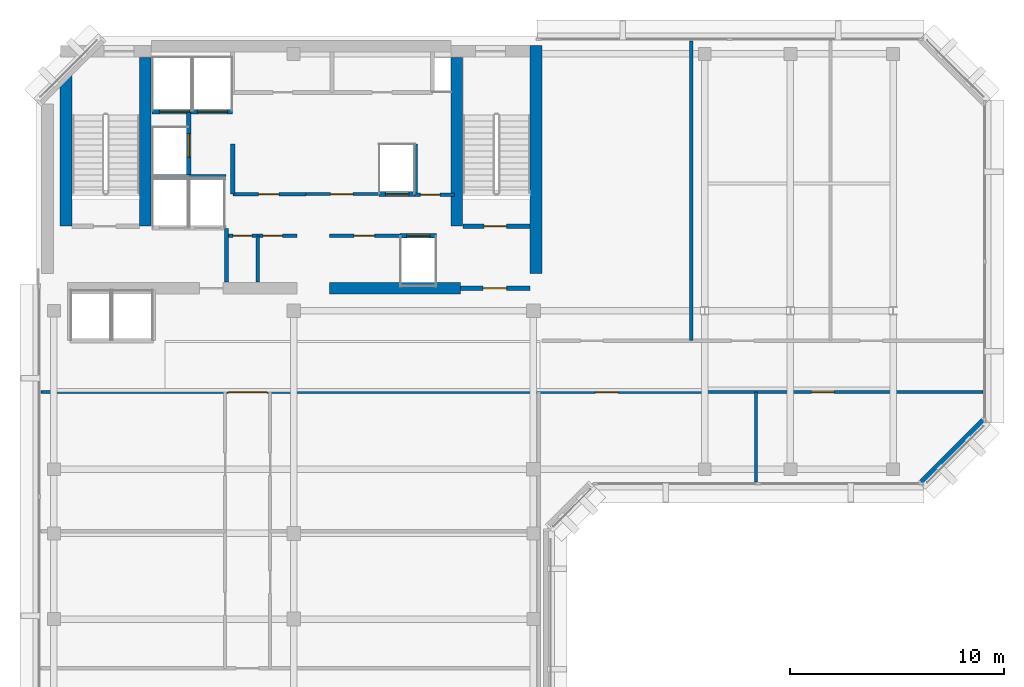
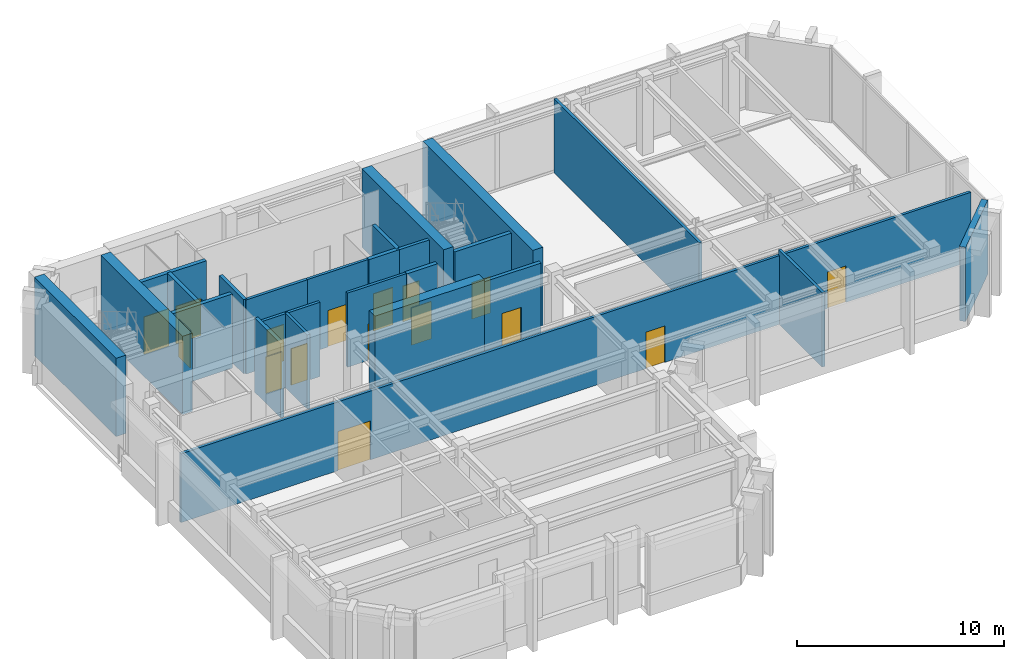
# One storey, part 5 of 9: 25 walls, 16 doors, 16 openings.
"""IFC4 building model written with IfcOpenShell, lengths in metres."""

from ifc_helpers import new_model, si_unit, direction, frame, frame_2d, origin, place, context, subcontext, project, spatial, rectangle, extrude, material, layer, layer_set, type_object, element, fill, save


model = new_model("IFC4")

# Units and contexts
model_context = context("Model", 3, precision=1e-05, world=origin(), true_north=direction((0.0, 1.0)))
body_context = subcontext(model_context, "Body", "Model", "MODEL_VIEW")
ifc_project = project(units=[si_unit("LENGTHUNIT", "METRE"), si_unit("AREAUNIT", "SQUARE_METRE"), si_unit("VOLUMEUNIT", "CUBIC_METRE"), si_unit("PLANEANGLEUNIT", "RADIAN"), si_unit("MASSUNIT", "GRAM", prefix="KILO")], contexts=[model_context])

# Site, building, storey
site_placement = place(None, origin())
site = spatial("IfcSite", under=ifc_project, at=site_placement, CompositionType="ELEMENT")
building_placement = place(site_placement, origin())
building = spatial("IfcBuilding", under=site, at=building_placement, Name="Kefirva Bronze Tower", CompositionType="ELEMENT")
storey_placement = place(building_placement, frame((0.0, 0.0, 356.72998046875)))
storey = spatial("IfcBuildingStorey", under=building, at=storey_placement, Name="L87", CompositionType="ELEMENT", Elevation=356.72998046875)

# Wall, opening, door
ifc_material_1 = material(Name="Gypsum acoustic partition")
ifc_layer_1 = layer(ifc_material_1, 0.14990234375, Name="Gypsum acoustic partition")
ifc_layer_set_1 = layer_set([ifc_layer_1], Name="Gypsum acoustic partition")
wall_type_1 = type_object("IfcWallType", Name="Executive Suite Partition 150mm", PredefinedType="PARTITIONING", material=ifc_layer_set_1)
wall_1_placement = place(storey_placement, frame((13.679931640625, 36.699951171875, 0.0), z_axis=(0.0, 0.0, 1.0), x_axis=(1.0, 0.0, 0.0)))
wall_1 = element("IfcWall", 1, at=wall_1_placement, inside=storey, type_object=wall_type_1, Name="L87 Partition W-L87-RECMP1", PredefinedType="PARTITIONING", context=body_context, shape_type="SweptSolid", body=[
    extrude(rectangle(XDim=3.280029296875, YDim=0.14990234375, at=frame_2d((1.64013671875, 0.0))), origin(), (0.0, 0.0, 1.0), 4.3701171875),
])
opening_1_placement = place(wall_1_placement, frame((1.14990234375, 0.0, 0.0)))
opening_1 = element("IfcOpeningElement", 2, at=opening_1_placement, cuts=wall_1, Name="Opening L87-D-RECMP1", PredefinedType="OPENING", context=body_context, shape_type="SweptSolid", body=[
    extrude(rectangle(XDim=0.949951171875, YDim=2.14990234375, at=frame_2d((0.47509765625, 1.074951171875))), frame((0.0, 0.0849609375, 0.0), z_axis=(0.0, -1.0, 0.0), x_axis=(1.0, 0.0, 0.0)), (0.0, 0.0, 1.0), 0.169921875),
])
ifc_material_2 = material(Name="Acoustic hardwood oak", Category="wood")
door_type_1 = type_object("IfcDoorType", Name="Office & Meeting Room Door 950x2150", OperationType="NOTDEFINED", PredefinedType="DOOR", material=ifc_material_2)
door_1_placement = place(opening_1_placement, origin())
door_1 = element("IfcDoor", 3, at=door_1_placement, inside=storey, type_object=door_type_1, Name="Door L87-D-RECMP1", OperationType="SINGLE_SWING_LEFT", OverallHeight=2.14990234375, OverallWidth=0.949951171875, PredefinedType="DOOR", context=body_context, shape_type="SweptSolid", body=[
    extrude(rectangle(XDim=0.949951171875, YDim=2.14990234375, at=frame_2d((0.47509765625, 1.074951171875))), frame((0.0, 0.02490234375, 0.0), z_axis=(0.0, -1.0, 0.0), x_axis=(1.0, 0.0, 0.0)), (0.0, 0.0, 1.0), 0.050048828125),
])
fill(opening_1, door_1)

wall_2_placement = place(storey_placement, frame((12.580078125, 38.64990234375, 0.0), z_axis=(0.0, 0.0, 1.0), x_axis=(1.0, 0.0, 0.0)))
wall_2 = element("IfcWall", 4, at=wall_2_placement, inside=storey, type_object=wall_type_1, Name="L87 Partition W-L87-RECMP2", PredefinedType="PARTITIONING", context=body_context, shape_type="SweptSolid", body=[
    extrude(rectangle(XDim=3.3798828125, YDim=0.14990234375, at=frame_2d((1.68994140625, 0.0))), origin(), (0.0, 0.0, 1.0), 4.3701171875),
])
opening_2_placement = place(wall_2_placement, frame((2.199951171875, 0.0, 0.0), z_axis=(0.0, 0.0, 1.0), x_axis=(-1.0, 0.0, 0.0)))
opening_2 = element("IfcOpeningElement", 5, at=opening_2_placement, cuts=wall_2, Name="Opening L87-D-RECMP2", PredefinedType="OPENING", context=body_context, shape_type="SweptSolid", body=[
    extrude(rectangle(XDim=1.050048828125, YDim=2.14990234375, at=frame_2d((0.52490234375, 1.074951171875))), frame((0.0, 0.0849609375, 0.0), z_axis=(0.0, -1.0, 0.0), x_axis=(1.0, 0.0, 0.0)), (0.0, 0.0, 1.0), 0.169921875),
])
door_type_2 = type_object("IfcDoorType", Name="Executive & Boardroom Door 1050x2150", OperationType="NOTDEFINED", PredefinedType="DOOR", material=ifc_material_2)
door_2_placement = place(opening_2_placement, origin())
door_2 = element("IfcDoor", 6, at=door_2_placement, inside=storey, type_object=door_type_2, Name="Door L87-D-RECMP2", OperationType="SINGLE_SWING_RIGHT", OverallHeight=2.14990234375, OverallWidth=1.050048828125, PredefinedType="DOOR", context=body_context, shape_type="SweptSolid", body=[
    extrude(rectangle(XDim=1.050048828125, YDim=2.14990234375, at=frame_2d((0.52490234375, 1.074951171875))), frame((0.0, 0.02490234375, 0.0), z_axis=(0.0, -1.0, 0.0), x_axis=(1.0, 0.0, 0.0)), (0.0, 0.0, 1.0), 0.050048828125),
])
fill(opening_2, door_2)

# Wall, openings, doors
wall_3_placement = place(storey_placement, frame((0.18994140625, 29.39990234375, 0.0), z_axis=(0.0, 0.0, 1.0), x_axis=(1.0, 0.0, 0.0)))
wall_3 = element("IfcWall", 7, at=wall_3_placement, inside=storey, type_object=wall_type_1, Name="L87 Partition W-L87-LKS", PredefinedType="PARTITIONING", context=body_context, shape_type="SweptSolid", body=[
    extrude(rectangle(XDim=44.02001953125, YDim=0.14990234375, at=frame_2d((22.010009765625, 0.0))), origin(), (0.0, 0.0, 1.0), 4.054931640625),
])
opening_3_placement = place(wall_3_placement, frame((8.760009765625, 0.0, 0.0)))
opening_3 = element("IfcOpeningElement", 8, at=opening_3_placement, cuts=wall_3, Name="Opening L87-D-SMSP", PredefinedType="OPENING", context=body_context, shape_type="SweptSolid", body=[
    extrude(rectangle(XDim=1.800048828125, YDim=2.300048828125, at=frame_2d((0.89990234375, 1.14990234375))), frame((0.0, 0.0849609375, 0.0), z_axis=(0.0, -1.0, 0.0), x_axis=(1.0, 0.0, 0.0)), (0.0, 0.0, 1.0), 0.169921875),
])
opening_4_placement = place(wall_3_placement, frame((25.909912109375, 0.0, 0.0)))
opening_4 = element("IfcOpeningElement", 9, at=opening_4_placement, cuts=wall_3, Name="Opening L87-D-SM4", PredefinedType="OPENING", context=body_context, shape_type="SweptSolid", body=[
    extrude(rectangle(XDim=1.050048828125, YDim=2.14990234375, at=frame_2d((0.52490234375, 1.074951171875))), frame((0.0, 0.0849609375, 0.0), z_axis=(0.0, -1.0, 0.0), x_axis=(1.0, 0.0, 0.0)), (0.0, 0.0, 1.0), 0.169921875),
])
opening_5_placement = place(wall_3_placement, frame((36.010009765625, 0.0, 0.0)))
opening_5 = element("IfcOpeningElement", 10, at=opening_5_placement, cuts=wall_3, Name="Opening L87-D-SM5", PredefinedType="OPENING", context=body_context, shape_type="SweptSolid", body=[
    extrude(rectangle(XDim=1.050048828125, YDim=2.14990234375, at=frame_2d((0.52490234375, 1.074951171875))), frame((0.0, 0.0849609375, 0.0), z_axis=(0.0, -1.0, 0.0), x_axis=(1.0, 0.0, 0.0)), (0.0, 0.0, 1.0), 0.169921875),
])
door_type_3 = type_object("IfcDoorType", Name="Auditorium & Dining Double Door 1800x2300", OperationType="DOUBLE_DOOR_SINGLE_SWING", PredefinedType="DOOR", material=ifc_material_2)
door_3_placement = place(opening_3_placement, origin())
door_3 = element("IfcDoor", 11, at=door_3_placement, inside=storey, type_object=door_type_3, Name="Door L87-D-SMSP", OperationType="SINGLE_SWING_LEFT", OverallHeight=2.300048828125, OverallWidth=1.800048828125, PredefinedType="DOOR", context=body_context, shape_type="SweptSolid", body=[
    extrude(rectangle(XDim=1.800048828125, YDim=2.300048828125, at=frame_2d((0.89990234375, 1.14990234375))), frame((0.0, 0.02490234375, 0.0), z_axis=(0.0, -1.0, 0.0), x_axis=(1.0, 0.0, 0.0)), (0.0, 0.0, 1.0), 0.050048828125),
])
fill(opening_3, door_3)
door_4_placement = place(opening_4_placement, origin())
door_4 = element("IfcDoor", 12, at=door_4_placement, inside=storey, type_object=door_type_2, Name="Door L87-D-SM4", OperationType="SINGLE_SWING_LEFT", OverallHeight=2.14990234375, OverallWidth=1.050048828125, PredefinedType="DOOR", context=body_context, shape_type="SweptSolid", body=[
    extrude(rectangle(XDim=1.050048828125, YDim=2.14990234375, at=frame_2d((0.52490234375, 1.074951171875))), frame((0.0, 0.02490234375, 0.0), z_axis=(0.0, -1.0, 0.0), x_axis=(1.0, 0.0, 0.0)), (0.0, 0.0, 1.0), 0.050048828125),
])
fill(opening_4, door_4)
door_5_placement = place(opening_5_placement, origin())
door_5 = element("IfcDoor", 13, at=door_5_placement, inside=storey, type_object=door_type_2, Name="Door L87-D-SM5", OperationType="SINGLE_SWING_RIGHT", OverallHeight=2.14990234375, OverallWidth=1.050048828125, PredefinedType="DOOR", context=body_context, shape_type="SweptSolid", body=[
    extrude(rectangle(XDim=1.050048828125, YDim=2.14990234375, at=frame_2d((0.52490234375, 1.074951171875))), frame((0.0, 0.02490234375, 0.0), z_axis=(0.0, -1.0, 0.0), x_axis=(1.0, 0.0, 0.0)), (0.0, 0.0, 1.0), 0.050048828125),
])
fill(opening_5, door_5)

# Walls
wall_4_placement = place(storey_placement, frame((33.60009765625, 25.18994140625, 0.0), z_axis=(0.0, 0.0, 1.0), x_axis=(0.0, 1.0, 0.0)))
element("IfcWall", 14, at=wall_4_placement, inside=storey, type_object=wall_type_1, Name="L87 Partition W-L87-SMEWD", PredefinedType="PARTITIONING", context=body_context, shape_type="SweptSolid", body=[
    extrude(rectangle(XDim=4.2099609375, YDim=0.14990234375, at=frame_2d((2.10498046875, 0.0))), origin(), (0.0, 0.0, 1.0), 4.3701171875),
])
wall_5_placement = place(storey_placement, frame((30.570068359375, 31.800048828125, 0.0), z_axis=(0.0, 0.0, 1.0), x_axis=(0.0, 1.0, 0.0)))
element("IfcWall", 15, at=wall_5_placement, inside=storey, type_object=wall_type_1, Name="L87 Partition W-L87-SMND1", PredefinedType="PARTITIONING", context=body_context, shape_type="SweptSolid", body=[
    extrude(rectangle(XDim=14.010009765625, YDim=0.14990234375, at=frame_2d((7.0048828125, 0.0))), origin(), (0.0, 0.0, 1.0), 4.3701171875),
])

# Wall, opening, door
ifc_material_3 = material(Name="Gypsum fireboard shaftwall")
ifc_layer_2 = layer(ifc_material_3, 0.219970703125, Name="Gypsum fireboard shaftwall")
ifc_layer_set_2 = layer_set([ifc_layer_2], Name="Gypsum fireboard shaftwall")
wall_type_2 = type_object("IfcWallType", Name="Fire-Rated Shaft Enclosure Wall 220mm", PredefinedType="PARTITIONING", material=ifc_layer_set_2)
wall_6_placement = place(storey_placement, frame((19.89990234375, 37.14990234375, 0.0), z_axis=(0.0, 0.0, 1.0), x_axis=(1.0, 0.0, 0.0)))
wall_6 = element("IfcWall", 16, at=wall_6_placement, inside=storey, type_object=wall_type_2, Name="L87 Partition W-L87-ST2S", PredefinedType="PARTITIONING", context=body_context, shape_type="SweptSolid", body=[
    extrude(rectangle(XDim=3.150146484375, YDim=0.219970703125, at=frame_2d((1.5751953125, 0.0))), origin(), (0.0, 0.0, 1.0), 4.3701171875),
])
opening_6_placement = place(wall_6_placement, frame((2.050048828125, 0.0, 0.0), z_axis=(0.0, 0.0, 1.0), x_axis=(-1.0, 0.0, 0.0)))
opening_6 = element("IfcOpeningElement", 17, at=opening_6_placement, cuts=wall_6, Name="Opening L87-D003", PredefinedType="OPENING", context=body_context, shape_type="SweptSolid", body=[
    extrude(rectangle(XDim=1.050048828125, YDim=2.14990234375, at=frame_2d((0.52490234375, 1.074951171875))), frame((0.0, 0.1201171875, 0.0), z_axis=(0.0, -1.0, 0.0), x_axis=(1.0, 0.0, 0.0)), (0.0, 0.0, 1.0), 0.239990234375),
])
ifc_material_4 = material(Name="Painted galvanized steel", Category="steel")
door_type_4 = type_object("IfcDoorType", Name="Fire Stair Enclosure Door 1050x2150 FD90S", OperationType="NOTDEFINED", PredefinedType="DOOR", material=ifc_material_4)
door_6_placement = place(opening_6_placement, origin())
door_6 = element("IfcDoor", 18, at=door_6_placement, inside=storey, type_object=door_type_4, Name="Door L87-D003", OperationType="SINGLE_SWING_LEFT", OverallHeight=2.14990234375, OverallWidth=1.050048828125, PredefinedType="DOOR", context=body_context, shape_type="SweptSolid", body=[
    extrude(rectangle(XDim=1.050048828125, YDim=2.14990234375, at=frame_2d((0.52490234375, 1.074951171875))), frame((0.0, 0.02490234375, 0.0), z_axis=(0.0, -1.0, 0.0), x_axis=(1.0, 0.0, 0.0)), (0.0, 0.0, 1.0), 0.050048828125),
])
fill(opening_6, door_6)

# Wall
wall_7_placement = place(storey_placement, frame((5.3798828125, 39.449951171875, 0.0), z_axis=(0.0, 0.0, 1.0), x_axis=(1.0, 0.0, 0.0)))
element("IfcWall", 19, at=wall_7_placement, inside=storey, type_object=wall_type_2, Name="L87 Partition W-L87-FFN", PredefinedType="PARTITIONING", context=body_context, shape_type="SweptSolid", body=[
    extrude(rectangle(XDim=3.460205078125, YDim=0.219970703125, at=frame_2d((1.72998046875, 0.0))), origin(), (0.0, 0.0, 1.0), 4.3701171875),
])

# Wall, openings, doors
wall_8_placement = place(storey_placement, frame((5.3798828125, 42.5, 0.0), z_axis=(0.0, 0.0, 1.0), x_axis=(1.0, 0.0, 0.0)))
wall_8 = element("IfcWall", 20, at=wall_8_placement, inside=storey, type_object=wall_type_2, Name="L87 Partition W-L87-SVS", PredefinedType="PARTITIONING", context=body_context, shape_type="SweptSolid", body=[
    extrude(rectangle(XDim=3.77001953125, YDim=0.219970703125, at=frame_2d((1.885009765625, 0.0))), origin(), (0.0, 0.0, 1.0), 4.3701171875),
])
opening_7_placement = place(wall_8_placement, frame((1.75, 0.0, 0.0), z_axis=(0.0, 0.0, 1.0), x_axis=(-1.0, 0.0, 0.0)))
opening_7 = element("IfcOpeningElement", 21, at=opening_7_placement, cuts=wall_8, Name="Opening L87-LD-SV1", PredefinedType="OPENING", context=body_context, shape_type="SweptSolid", body=[
    extrude(rectangle(XDim=1.39990234375, YDim=2.199951171875, at=frame_2d((0.699951171875, 1.10009765625))), frame((0.0, 0.1201171875, 0.0), z_axis=(0.0, -1.0, 0.0), x_axis=(1.0, 0.0, 0.0)), (0.0, 0.0, 1.0), 0.239990234375),
])
opening_8_placement = place(wall_8_placement, frame((3.52978515625, 0.0, 0.0), z_axis=(0.0, 0.0, 1.0), x_axis=(-1.0, 0.0, 0.0)))
opening_8 = element("IfcOpeningElement", 22, at=opening_8_placement, cuts=wall_8, Name="Opening L87-LD-SV2", PredefinedType="OPENING", context=body_context, shape_type="SweptSolid", body=[
    extrude(rectangle(XDim=1.39990234375, YDim=2.199951171875, at=frame_2d((0.699951171875, 1.10009765625))), frame((0.0, 0.1201171875, 0.0), z_axis=(0.0, -1.0, 0.0), x_axis=(1.0, 0.0, 0.0)), (0.0, 0.0, 1.0), 0.239990234375),
])
ifc_material_5 = material(Name="Stainless steel 316", Category="steel")
door_type_5 = type_object("IfcDoorType", Name="Goods Lift Bi-Parting Sliding Door 1400x2200", OperationType="SLIDING_TO_LEFT", PredefinedType="DOOR", material=ifc_material_5)
door_7_placement = place(opening_7_placement, origin())
door_7 = element("IfcDoor", 23, at=door_7_placement, inside=storey, type_object=door_type_5, Name="Door L87-LD-SV1", OperationType="SLIDING_TO_LEFT", OverallHeight=2.199951171875, OverallWidth=1.39990234375, PredefinedType="DOOR", context=body_context, shape_type="SweptSolid", body=[
    extrude(rectangle(XDim=1.39990234375, YDim=2.199951171875, at=frame_2d((0.699951171875, 1.10009765625))), frame((0.0, 0.02490234375, 0.0), z_axis=(0.0, -1.0, 0.0), x_axis=(1.0, 0.0, 0.0)), (0.0, 0.0, 1.0), 0.050048828125),
])
fill(opening_7, door_7)
door_8_placement = place(opening_8_placement, origin())
door_8 = element("IfcDoor", 24, at=door_8_placement, inside=storey, type_object=door_type_5, Name="Door L87-LD-SV2", OperationType="SLIDING_TO_LEFT", OverallHeight=2.199951171875, OverallWidth=1.39990234375, PredefinedType="DOOR", context=body_context, shape_type="SweptSolid", body=[
    extrude(rectangle(XDim=1.39990234375, YDim=2.199951171875, at=frame_2d((0.699951171875, 1.10009765625))), frame((0.0, 0.02490234375, 0.0), z_axis=(0.0, -1.0, 0.0), x_axis=(1.0, 0.0, 0.0)), (0.0, 0.0, 1.0), 0.050048828125),
])
fill(opening_8, door_8)

# Wall, opening, door
wall_9_placement = place(storey_placement, frame((7.10009765625, 39.52001953125, 0.0), z_axis=(0.0, 0.0, 1.0), x_axis=(0.0, 1.0, 0.0)))
wall_9 = element("IfcWall", 25, at=wall_9_placement, inside=storey, type_object=wall_type_2, Name="L87 Partition W-L87-HP3E", PredefinedType="PARTITIONING", context=body_context, shape_type="SweptSolid", body=[
    extrude(rectangle(XDim=2.929931640625, YDim=0.219970703125, at=frame_2d((1.46484375, 0.0))), origin(), (0.0, 0.0, 1.0), 4.3701171875),
])
opening_9_placement = place(wall_9_placement, frame((0.85009765625, 0.0, 0.0)))
opening_9 = element("IfcOpeningElement", 26, at=opening_9_placement, cuts=wall_9, Name="Opening L87-LD-HP3", PredefinedType="OPENING", context=body_context, shape_type="SweptSolid", body=[
    extrude(rectangle(XDim=1.10009765625, YDim=2.199951171875, at=frame_2d((0.550048828125, 1.10009765625))), frame((0.0, 0.1201171875, 0.0), z_axis=(0.0, -1.0, 0.0), x_axis=(1.0, 0.0, 0.0)), (0.0, 0.0, 1.0), 0.239990234375),
])
door_type_6 = type_object("IfcDoorType", Name="Passenger Lift Sliding Landing Door 1100x2200", OperationType="SLIDING_TO_LEFT", PredefinedType="DOOR", material=ifc_material_5)
door_9_placement = place(opening_9_placement, origin())
door_9 = element("IfcDoor", 27, at=door_9_placement, inside=storey, type_object=door_type_6, Name="Door L87-LD-HP3", OperationType="SLIDING_TO_LEFT", OverallHeight=2.199951171875, OverallWidth=1.10009765625, PredefinedType="DOOR", context=body_context, shape_type="SweptSolid", body=[
    extrude(rectangle(XDim=1.10009765625, YDim=2.199951171875, at=frame_2d((0.550048828125, 1.10009765625))), frame((0.0, 0.02490234375, 0.0), z_axis=(0.0, -1.0, 0.0), x_axis=(1.0, 0.0, 0.0)), (0.0, 0.0, 1.0), 0.050048828125),
])
fill(opening_9, door_9)

# Walls
for number, where, z_axis, x_axis, name in (
    (28, (9.159912109375, 38.64990234375, 0.0), (0.0, 0.0, 1.0), (0.0, 1.0, 0.0), "L87 Partition W-L87-LP3W"),
    (29, (17.679931640625, 38.64990234375, 0.0), (0.0, 0.0, 1.0), (0.0, 1.0, 0.0), "L87 Partition W-L87-HP2E"),
):
    element("IfcWall", number, at=place(storey_placement, frame(where, z_axis=z_axis, x_axis=x_axis)), inside=storey, type_object=wall_type_2, Name=name, PredefinedType="PARTITIONING", context=body_context, shape_type="SweptSolid", body=[
        extrude(rectangle(XDim=2.35009765625, YDim=0.199951171875, at=frame_2d((1.175048828125, 0.0))), origin(), (0.0, 0.0, 1.0), 4.3701171875),
    ])

# Wall, opening, door
wall_10_placement = place(storey_placement, frame((16.97998046875, 36.699951171875, 0.0), z_axis=(0.0, 0.0, 1.0), x_axis=(1.0, 0.0, 0.0)))
wall_10 = element("IfcWall", 30, at=wall_10_placement, inside=storey, type_object=wall_type_2, Name="L87 Partition W-L87-HPS", PredefinedType="PARTITIONING", context=body_context, shape_type="SweptSolid", body=[
    extrude(rectangle(XDim=1.699951171875, YDim=0.219970703125, at=frame_2d((0.85009765625, 0.0))), origin(), (0.0, 0.0, 1.0), 4.3701171875),
])
opening_10_placement = place(wall_10_placement, frame((0.300048828125, 0.0, 0.0)))
opening_10 = element("IfcOpeningElement", 31, at=opening_10_placement, cuts=wall_10, Name="Opening L87-LD-HP1", PredefinedType="OPENING", context=body_context, shape_type="SweptSolid", body=[
    extrude(rectangle(XDim=1.10009765625, YDim=2.199951171875, at=frame_2d((0.550048828125, 1.10009765625))), frame((0.0, 0.1201171875, 0.0), z_axis=(0.0, -1.0, 0.0), x_axis=(1.0, 0.0, 0.0)), (0.0, 0.0, 1.0), 0.239990234375),
])
door_10_placement = place(opening_10_placement, origin())
door_10 = element("IfcDoor", 32, at=door_10_placement, inside=storey, type_object=door_type_6, Name="Door L87-LD-HP1", OperationType="SLIDING_TO_LEFT", OverallHeight=2.199951171875, OverallWidth=1.10009765625, PredefinedType="DOOR", context=body_context, shape_type="SweptSolid", body=[
    extrude(rectangle(XDim=1.10009765625, YDim=2.199951171875, at=frame_2d((0.550048828125, 1.10009765625))), frame((0.0, 0.02490234375, 0.0), z_axis=(0.0, -1.0, 0.0), x_axis=(1.0, 0.0, 0.0)), (0.0, 0.0, 1.0), 0.050048828125),
])
fill(opening_10, door_10)

wall_11_placement = place(storey_placement, frame((15.97998046875, 38.64990234375, 0.0), z_axis=(0.0, 0.0, 1.0), x_axis=(1.0, 0.0, 0.0)))
wall_11 = element("IfcWall", 33, at=wall_11_placement, inside=storey, type_object=wall_type_2, Name="L87 Partition W-L87-HPN", PredefinedType="PARTITIONING", context=body_context, shape_type="SweptSolid", body=[
    extrude(rectangle(XDim=1.719970703125, YDim=0.219970703125, at=frame_2d((0.85986328125, 0.0))), origin(), (0.0, 0.0, 1.0), 4.3701171875),
])
opening_11_placement = place(wall_11_placement, frame((0.300048828125, 0.0, 0.0)))
opening_11 = element("IfcOpeningElement", 34, at=opening_11_placement, cuts=wall_11, Name="Opening L87-LD-HP2", PredefinedType="OPENING", context=body_context, shape_type="SweptSolid", body=[
    extrude(rectangle(XDim=1.10009765625, YDim=2.199951171875, at=frame_2d((0.550048828125, 1.10009765625))), frame((0.0, 0.1201171875, 0.0), z_axis=(0.0, -1.0, 0.0), x_axis=(1.0, 0.0, 0.0)), (0.0, 0.0, 1.0), 0.239990234375),
])
door_11_placement = place(opening_11_placement, origin())
door_11 = element("IfcDoor", 35, at=door_11_placement, inside=storey, type_object=door_type_6, Name="Door L87-LD-HP2", OperationType="SLIDING_TO_LEFT", OverallHeight=2.199951171875, OverallWidth=1.10009765625, PredefinedType="DOOR", context=body_context, shape_type="SweptSolid", body=[
    extrude(rectangle(XDim=1.10009765625, YDim=2.199951171875, at=frame_2d((0.550048828125, 1.10009765625))), frame((0.0, 0.02490234375, 0.0), z_axis=(0.0, -1.0, 0.0), x_axis=(1.0, 0.0, 0.0)), (0.0, 0.0, 1.0), 0.050048828125),
])
fill(opening_11, door_11)

# Wall
ifc_material_6 = material(Name="Gypsum fireboard barrier")
ifc_layer_3 = layer(ifc_material_6, 0.199951171875, Name="Gypsum fireboard barrier")
ifc_layer_set_3 = layer_set([ifc_layer_3], Name="Gypsum fireboard barrier")
wall_type_3 = type_object("IfcWallType", Name="Firefighting Lobby Barrier Wall 200mm", PredefinedType="PARTITIONING", material=ifc_layer_set_3)
wall_12_placement = place(storey_placement, frame((8.860107421875, 34.550048828125, 0.0), z_axis=(0.0, 0.0, 1.0), x_axis=(0.0, 1.0, 0.0)))
element("IfcWall", 36, at=wall_12_placement, inside=storey, type_object=wall_type_3, Name="L87 Partition W-L87-FFLE", PredefinedType="PARTITIONING", context=body_context, shape_type="SweptSolid", body=[
    extrude(rectangle(XDim=2.5, YDim=0.199951171875, at=frame_2d((1.25, 0.0))), origin(), (0.0, 0.0, 1.0), 4.3701171875),
])

# Wall, opening, door
wall_13_placement = place(storey_placement, frame((19.800048828125, 34.25, 0.0), z_axis=(0.0, 0.0, 1.0), x_axis=(1.0, 0.0, 0.0)))
wall_13 = element("IfcWall", 37, at=wall_13_placement, inside=storey, type_object=wall_type_3, Name="L87 Partition W-L87-ST2F", PredefinedType="PARTITIONING", context=body_context, shape_type="SweptSolid", body=[
    extrude(rectangle(XDim=3.25, YDim=0.199951171875, at=frame_2d((1.625, 0.0))), origin(), (0.0, 0.0, 1.0), 4.3701171875),
])
opening_12_placement = place(wall_13_placement, frame((2.150146484375, 0.0, 0.0), z_axis=(0.0, 0.0, 1.0), x_axis=(-1.0, 0.0, 0.0)))
opening_12 = element("IfcOpeningElement", 38, at=opening_12_placement, cuts=wall_13, Name="Opening L87-D004", PredefinedType="OPENING", context=body_context, shape_type="SweptSolid", body=[
    extrude(rectangle(XDim=1.10009765625, YDim=2.14990234375, at=frame_2d((0.550048828125, 1.074951171875))), frame((0.0, 0.10986328125, 0.0), z_axis=(0.0, -1.0, 0.0), x_axis=(1.0, 0.0, 0.0)), (0.0, 0.0, 1.0), 0.219970703125),
])
door_type_7 = type_object("IfcDoorType", Name="Firefighting Lobby Smoke Door 1100x2150 FD60S", OperationType="NOTDEFINED", PredefinedType="DOOR", material=ifc_material_4)
door_12_placement = place(opening_12_placement, origin())
door_12 = element("IfcDoor", 39, at=door_12_placement, inside=storey, type_object=door_type_7, Name="Door L87-D004", OperationType="SINGLE_SWING_RIGHT", OverallHeight=2.14990234375, OverallWidth=1.10009765625, PredefinedType="DOOR", context=body_context, shape_type="SweptSolid", body=[
    extrude(rectangle(XDim=1.10009765625, YDim=2.14990234375, at=frame_2d((0.550048828125, 1.074951171875))), frame((0.0, 0.02490234375, 0.0), z_axis=(0.0, -1.0, 0.0), x_axis=(1.0, 0.0, 0.0)), (0.0, 0.0, 1.0), 0.050048828125),
])
fill(opening_12, door_12)

wall_14_placement = place(storey_placement, frame((17.679931640625, 38.6201171875, 0.0), z_axis=(0.0, 0.0, 1.0), x_axis=(1.0, 0.0, 0.0)))
wall_14 = element("IfcWall", 40, at=wall_14_placement, inside=storey, type_object=wall_type_3, Name="L87 Partition W-L87-CPASS", PredefinedType="PARTITIONING", context=body_context, shape_type="SweptSolid", body=[
    extrude(rectangle(XDim=1.840087890625, YDim=0.179931640625, at=frame_2d((0.919921875, 0.0))), origin(), (0.0, 0.0, 1.0), 4.3701171875),
])
opening_13_placement = place(wall_14_placement, frame((0.239990234375, 0.0, 0.0)))
opening_13 = element("IfcOpeningElement", 41, at=opening_13_placement, cuts=wall_14, Name="Opening L87-D-CPAS", PredefinedType="OPENING", context=body_context, shape_type="SweptSolid", body=[
    extrude(rectangle(XDim=0.919921875, YDim=2.10009765625, at=frame_2d((0.4599609375, 1.050048828125))), frame((0.0, 0.10009765625, 0.0), z_axis=(0.0, -1.0, 0.0), x_axis=(1.0, 0.0, 0.0)), (0.0, 0.0, 1.0), 0.199951171875),
])
ifc_material_7 = material(Name="Moisture-resistant timber", Category="wood")
door_type_8 = type_object("IfcDoorType", Name="Accessible Sanitary & WC Door 920x2100", OperationType="NOTDEFINED", PredefinedType="DOOR", material=ifc_material_7)
door_13_placement = place(opening_13_placement, origin())
door_13 = element("IfcDoor", 42, at=door_13_placement, inside=storey, type_object=door_type_8, Name="Door L87-D-CPAS", OperationType="SINGLE_SWING_LEFT", OverallHeight=2.10009765625, OverallWidth=0.919921875, PredefinedType="DOOR", context=body_context, shape_type="SweptSolid", body=[
    extrude(rectangle(XDim=0.919921875, YDim=2.10009765625, at=frame_2d((0.4599609375, 1.050048828125))), frame((0.0, 0.02490234375, 0.0), z_axis=(0.0, -1.0, 0.0), x_axis=(1.0, 0.0, 0.0)), (0.0, 0.0, 1.0), 0.050048828125),
])
fill(opening_13, door_13)

# Wall
ifc_material_8 = material(Name="Precast concrete C40/50", Category="concrete")
ifc_layer_4 = layer(ifc_material_8, 0.320068359375, Name="Precast concrete C40/50")
ifc_layer_set_4 = layer_set([ifc_layer_4], Name="Precast concrete C40/50")
wall_type_4 = type_object("IfcWallType", Name="Precast Insulated Exterior Wall 320mm", PredefinedType="SOLIDWALL", material=ifc_layer_set_4)
wall_15_placement = place(storey_placement, frame((41.32568359375, 25.152099609375, 0.0), z_axis=(0.0, 0.0, 1.0), x_axis=(0.707136318428, 0.707077242712, 0.0)))
element("IfcWall", 43, at=wall_15_placement, inside=storey, type_object=wall_type_4, Name="L87 Exterior Facade Wall 7", PredefinedType="SOLIDWALL", context=body_context, shape_type="SweptSolid", body=[
    extrude(rectangle(XDim=4.132568359375, YDim=0.320068359375, at=frame_2d((2.06640625, 0.0))), origin(), (0.0, 0.0, 1.0), 4.3701171875),
])

# Wall, openings, doors
ifc_layer_5 = layer(ifc_material_1, 0.159912109375, Name="Gypsum acoustic partition")
ifc_layer_set_5 = layer_set([ifc_layer_5], Name="Gypsum acoustic partition")
wall_type_5 = type_object("IfcWallType", Name="Protected Corridor Partition 160mm", PredefinedType="PARTITIONING", material=ifc_layer_set_5)
wall_16_placement = place(storey_placement, frame((8.89990234375, 36.699951171875, 0.0), z_axis=(0.0, 0.0, 1.0), x_axis=(1.0, 0.0, 0.0)))
wall_16 = element("IfcWall", 44, at=wall_16_placement, inside=storey, type_object=wall_type_5, Name="L87 Partition W-L87-RECLP1", PredefinedType="PARTITIONING", context=body_context, shape_type="SweptSolid", body=[
    extrude(rectangle(XDim=3.25, YDim=0.159912109375, at=frame_2d((1.625, 0.0))), origin(), (0.0, 0.0, 1.0), 4.3701171875),
])
opening_14_placement = place(wall_16_placement, frame((0.260009765625, 0.0, 0.0)))
opening_14 = element("IfcOpeningElement", 45, at=opening_14_placement, cuts=wall_16, Name="Opening L87-D-RECLP1A", PredefinedType="OPENING", context=body_context, shape_type="SweptSolid", body=[
    extrude(rectangle(XDim=0.89990234375, YDim=2.14990234375, at=frame_2d((0.449951171875, 1.074951171875))), frame((0.0, 0.08984375, 0.0), z_axis=(0.0, -1.0, 0.0), x_axis=(1.0, 0.0, 0.0)), (0.0, 0.0, 1.0), 0.179931640625),
])
opening_15_placement = place(wall_16_placement, frame((1.679931640625, 0.0, 0.0)))
opening_15 = element("IfcOpeningElement", 46, at=opening_15_placement, cuts=wall_16, Name="Opening L87-D-RECLP1B", PredefinedType="OPENING", context=body_context, shape_type="SweptSolid", body=[
    extrude(rectangle(XDim=0.89990234375, YDim=2.14990234375, at=frame_2d((0.449951171875, 1.074951171875))), frame((0.0, 0.08984375, 0.0), z_axis=(0.0, -1.0, 0.0), x_axis=(1.0, 0.0, 0.0)), (0.0, 0.0, 1.0), 0.179931640625),
])
door_type_9 = type_object("IfcDoorType", Name="Core Archive & Server Fire Door 900x2150 FD60S", OperationType="NOTDEFINED", PredefinedType="DOOR", material=ifc_material_4)
door_14_placement = place(opening_14_placement, origin())
door_14 = element("IfcDoor", 47, at=door_14_placement, inside=storey, type_object=door_type_9, Name="Door L87-D-RECLP1A", OperationType="SINGLE_SWING_RIGHT", OverallHeight=2.14990234375, OverallWidth=0.89990234375, PredefinedType="DOOR", context=body_context, shape_type="SweptSolid", body=[
    extrude(rectangle(XDim=0.89990234375, YDim=2.14990234375, at=frame_2d((0.449951171875, 1.074951171875))), frame((0.0, 0.02490234375, 0.0), z_axis=(0.0, -1.0, 0.0), x_axis=(1.0, 0.0, 0.0)), (0.0, 0.0, 1.0), 0.050048828125),
])
fill(opening_14, door_14)
door_15_placement = place(opening_15_placement, origin())
door_15 = element("IfcDoor", 48, at=door_15_placement, inside=storey, type_object=door_type_9, Name="Door L87-D-RECLP1B", OperationType="SINGLE_SWING_LEFT", OverallHeight=2.14990234375, OverallWidth=0.89990234375, PredefinedType="DOOR", context=body_context, shape_type="SweptSolid", body=[
    extrude(rectangle(XDim=0.89990234375, YDim=2.14990234375, at=frame_2d((0.449951171875, 1.074951171875))), frame((0.0, 0.02490234375, 0.0), z_axis=(0.0, -1.0, 0.0), x_axis=(1.0, 0.0, 0.0)), (0.0, 0.0, 1.0), 0.050048828125),
])
fill(opening_15, door_15)

# Wall
wall_17_placement = place(storey_placement, frame((10.320068359375, 34.550048828125, 0.0), z_axis=(0.0, 0.0, 1.0), x_axis=(0.0, 1.0, 0.0)))
element("IfcWall", 49, at=wall_17_placement, inside=storey, type_object=wall_type_5, Name="L87 Partition W-L87-RECLP1D", PredefinedType="PARTITIONING", context=body_context, shape_type="SweptSolid", body=[
    extrude(rectangle(XDim=2.14990234375, YDim=0.159912109375, at=frame_2d((1.074951171875, 0.0))), origin(), (0.0, 0.0, 1.0), 4.3701171875),
])

# Wall, opening, door
wall_18_placement = place(storey_placement, frame((9.159912109375, 38.64990234375, 0.0), z_axis=(0.0, 0.0, 1.0), x_axis=(1.0, 0.0, 0.0)))
wall_18 = element("IfcWall", 50, at=wall_18_placement, inside=storey, type_object=wall_type_5, Name="L87 Partition W-L87-RECLP2", PredefinedType="PARTITIONING", context=body_context, shape_type="SweptSolid", body=[
    extrude(rectangle(XDim=3.420166015625, YDim=0.159912109375, at=frame_2d((1.7099609375, 0.0))), origin(), (0.0, 0.0, 1.0), 4.3701171875),
])
opening_16_placement = place(wall_18_placement, frame((2.14990234375, 0.0, 0.0), z_axis=(0.0, 0.0, 1.0), x_axis=(-1.0, 0.0, 0.0)))
opening_16 = element("IfcOpeningElement", 51, at=opening_16_placement, cuts=wall_18, Name="Opening L87-D-RECLP2", PredefinedType="OPENING", context=body_context, shape_type="SweptSolid", body=[
    extrude(rectangle(XDim=0.949951171875, YDim=2.14990234375, at=frame_2d((0.47509765625, 1.074951171875))), frame((0.0, 0.08984375, 0.0), z_axis=(0.0, -1.0, 0.0), x_axis=(1.0, 0.0, 0.0)), (0.0, 0.0, 1.0), 0.179931640625),
])
door_16_placement = place(opening_16_placement, origin())
door_16 = element("IfcDoor", 52, at=door_16_placement, inside=storey, type_object=door_type_1, Name="Door L87-D-RECLP2", OperationType="SINGLE_SWING_RIGHT", OverallHeight=2.14990234375, OverallWidth=0.949951171875, PredefinedType="DOOR", context=body_context, shape_type="SweptSolid", body=[
    extrude(rectangle(XDim=0.949951171875, YDim=2.14990234375, at=frame_2d((0.47509765625, 1.074951171875))), frame((0.0, 0.02490234375, 0.0), z_axis=(0.0, -1.0, 0.0), x_axis=(1.0, 0.0, 0.0)), (0.0, 0.0, 1.0), 0.050048828125),
])
fill(opening_16, door_16)

# Walls
ifc_material_9 = material(Name="Concrete C50/60", Category="concrete")
ifc_layer_6 = layer(ifc_material_9, 0.550048828125, Name="Concrete C50/60")
ifc_layer_set_6 = layer_set([ifc_layer_6], Name="Concrete C50/60")
wall_type_6 = type_object("IfcWallType", Name="RC Rear Core Interior Wall 550mm", PredefinedType="SHEAR", material=ifc_layer_set_6)
wall_19_placement = place(storey_placement, frame((23.324951171875, 34.949951171875, 0.0), z_axis=(0.0, 0.0, 1.0), x_axis=(0.0, 1.0, 0.0)))
element("IfcWall", 53, at=wall_19_placement, inside=storey, type_object=wall_type_6, Name="L87 Rear Core East Shear Wall", PredefinedType="SHEAR", context=body_context, shape_type="SweptSolid", body=[
    extrude(rectangle(XDim=10.64013671875, YDim=0.550048828125, at=frame_2d((5.320068359375, 0.0))), origin(), (0.0, 0.0, 1.0), 4.6201171875),
])
wall_20_placement = place(storey_placement, frame((13.679931640625, 34.25, 0.0), z_axis=(0.0, 0.0, 1.0), x_axis=(1.0, 0.0, 0.0)))
element("IfcWall", 54, at=wall_20_placement, inside=storey, type_object=wall_type_6, Name="L87 Rear Core South-East Shear Wall", PredefinedType="SHEAR", context=body_context, shape_type="SweptSolid", body=[
    extrude(rectangle(XDim=6.1201171875, YDim=0.550048828125, at=frame_2d((3.06005859375, 0.0))), origin(), (0.0, 0.0, 1.0), 4.6201171875),
])
for number, where, z_axis, x_axis, name in (
    (55, (1.3701171875, 37.14990234375, 0.0), (0.0, 0.0, 1.0), (0.0, 1.0, 0.0), "L87 Stair 1 West Shear Wall"),
    (56, (5.070068359375, 37.14990234375, 0.0), (0.0, 0.0, 1.0), (0.0, 1.0, 0.0), "L87 Stair 1 East Shear Wall"),
    (57, (19.6201171875, 37.14990234375, 0.0), (0.0, 0.0, 1.0), (0.0, 1.0, 0.0), "L87 Stair 2 West Shear Wall"),
):
    element("IfcWall", number, at=place(storey_placement, frame(where, z_axis=z_axis, x_axis=x_axis)), inside=storey, type_object=wall_type_6, Name=name, PredefinedType="SHEAR", context=body_context, shape_type="SweptSolid", body=[
        extrude(rectangle(XDim=7.89013671875, YDim=0.550048828125, at=frame_2d((3.945068359375, 0.0))), origin(), (0.0, 0.0, 1.0), 4.6201171875),
    ])

save(model, "model.ifc")
